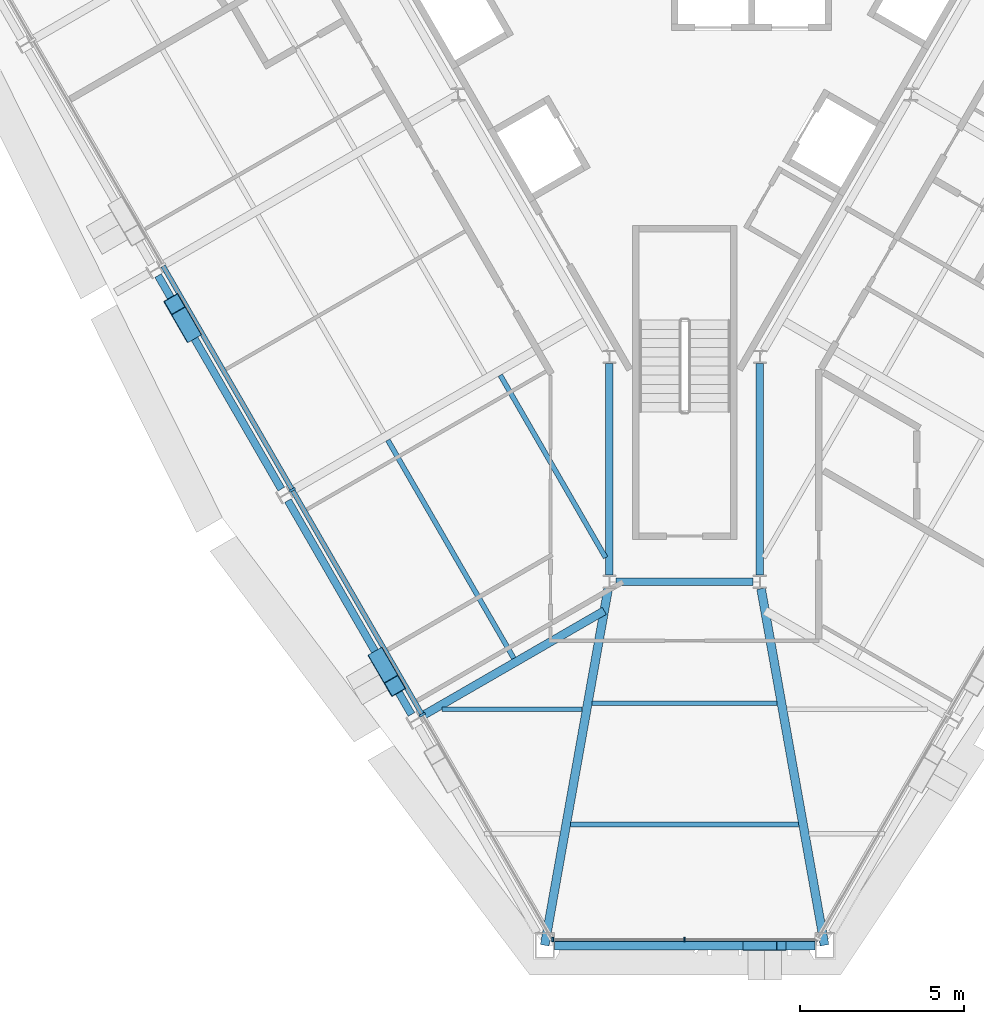
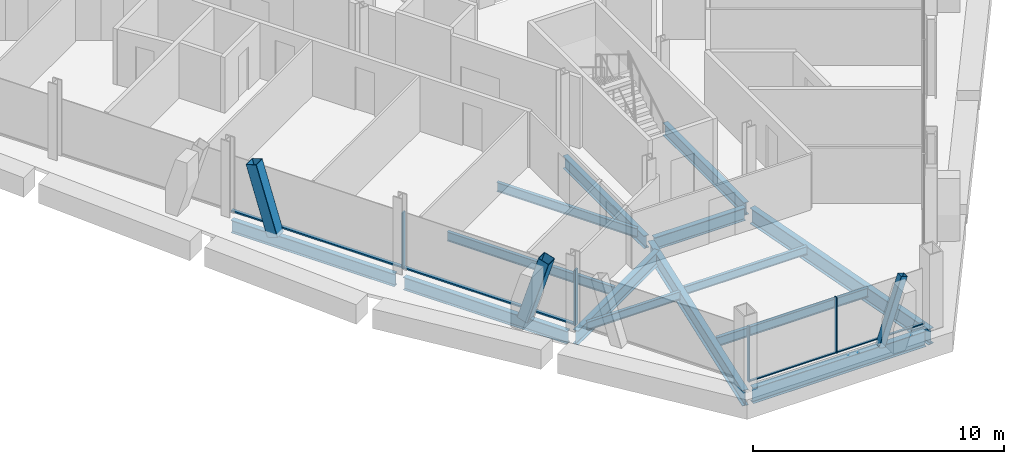
# One storey, part 3 of 14: 14 beams, 11 members, 2 elements without a shape of their own.
"""IFC4 building model written with IfcOpenShell, lengths in metres."""

from ifc_helpers import new_model, si_unit, direction, frame, origin, origin_2d, place, context, subcontext, project, spatial, rectangle, hollow_rectangle, i_section, extrude, material, material_profile, profile_set, type_object, element, aggregate, save


model = new_model("IFC4")

# Units and contexts
model_context = context("Model", 3, precision=1e-05, world=origin(), true_north=direction((0.0, 1.0)))
body_context = subcontext(model_context, "Body", "Model", "MODEL_VIEW")
ifc_project = project(units=[si_unit("LENGTHUNIT", "METRE"), si_unit("AREAUNIT", "SQUARE_METRE"), si_unit("VOLUMEUNIT", "CUBIC_METRE"), si_unit("PLANEANGLEUNIT", "RADIAN"), si_unit("MASSUNIT", "GRAM", prefix="KILO")], contexts=[model_context])

# Site, building, storey
site_placement = place(None, origin())
site = spatial("IfcSite", under=ifc_project, at=site_placement, CompositionType="ELEMENT")
building_placement = place(site_placement, origin())
building = spatial("IfcBuilding", under=site, at=building_placement, Name="Verrane Prism Tower", CompositionType="ELEMENT")
storey_placement = place(building_placement, frame((0.0, 0.0, 193.199951171875)))
storey = spatial("IfcBuildingStorey", under=building, at=storey_placement, Name="L48", CompositionType="ELEMENT", Elevation=193.199951171875)

# Member
ifc_material_1 = material(Name="Steel A500 Grade C", Category="steel")
ifc_material_profile_1 = material_profile(ifc_material_1, hollow_rectangle(XDim=0.3046875, YDim=0.3046875, WallThickness=0.0126953125, InnerFilletRadius=0.00634765625, OuterFilletRadius=0.01904296875, at=origin_2d()), Name="HSS12x12x1/2")
ifc_profile_set_1 = profile_set([ifc_material_profile_1], Name="Steel A500 Grade C")
member_type_1 = type_object("IfcMemberType", Name="Chamfer brace HSS12x12x1/2", PredefinedType="BRACE", material=ifc_profile_set_1)
member_1_placement = place(storey_placement, frame((1.93212890625, -30.02001953125, -0.242431640625), z_axis=(0.313765503434, 0.0, 0.949500504926), x_axis=(0.0, 1.0, 0.0)))
element("IfcMember", 1, at=member_1_placement, inside=storey, type_object=member_type_1, Name="Chamfer brace S0 L48", PredefinedType="BRACE", context=body_context, shape_type="SweptSolid", body=[
    extrude(hollow_rectangle(XDim=0.3046875, YDim=0.3046875, WallThickness=0.0126953125, InnerFilletRadius=0.00634765625, OuterFilletRadius=0.01904296875, at=origin_2d()), origin(), (0.0, 0.0, 1.0), 3.2734375),
])

# Beams
ifc_material_2 = material(Name="Steel A992", Category="steel")
ifc_material_profile_2 = material_profile(ifc_material_2, i_section(OverallWidth=0.2666015625, OverallDepth=0.7568359375, WebThickness=0.013916015625, FlangeThickness=0.019287109375, FilletRadius=0.0166015625, at=origin_2d()), Name="W30x108")
ifc_profile_set_2 = profile_set([ifc_material_profile_2], Name="Steel A992")
beam_type_1 = type_object("IfcBeamType", Name="Chamfer spandrel beam W30x108", PredefinedType="SPANDREL", material=ifc_profile_set_2)
beam_1_placement = place(storey_placement, frame((-3.97998046875, -30.02001953125, -0.538330078125), z_axis=(1.0, 0.0, 0.0), x_axis=(0.0, 1.0, 0.0)))
element("IfcBeam", 2, at=beam_1_placement, inside=storey, type_object=beam_type_1, Name="Chamfer spandrel beam L48", PredefinedType="SPANDREL", context=body_context, shape_type="SweptSolid", body=[
    extrude(i_section(OverallWidth=0.2666015625, OverallDepth=0.7568359375, WebThickness=0.013916015625, FlangeThickness=0.019287109375, FilletRadius=0.0166015625, at=origin_2d()), origin(), (0.0, 0.0, 1.0), 7.9599609375),
])
ifc_material_3 = material(Name="Steel A992", Category="steel")
ifc_material_profile_3 = material_profile(ifc_material_3, i_section(OverallWidth=0.23046875, OverallDepth=0.6171875, WebThickness=0.01318359375, FlangeThickness=0.022216796875, FilletRadius=0.012939453125, at=origin_2d()), Name="W24x94")
ifc_profile_set_3 = profile_set([ifc_material_profile_3], Name="Steel A992")
beam_type_2 = type_object("IfcBeamType", Name="Core ring girder W24x94", PredefinedType="BEAM", material=ifc_profile_set_3)
beam_2_placement = place(storey_placement, frame((-2.300048828125, -12.219482421875, -0.55859375), z_axis=(0.0, -1.0, 0.0), x_axis=(1.0, 0.0, 0.0)))
element("IfcBeam", 3, at=beam_2_placement, inside=storey, type_object=beam_type_2, Name="Core ring girder L48", PredefinedType="BEAM", context=body_context, shape_type="SweptSolid", body=[
    extrude(i_section(OverallWidth=0.23046875, OverallDepth=0.6171875, WebThickness=0.01318359375, FlangeThickness=0.022216796875, FilletRadius=0.012939453125, at=origin_2d()), origin(), (0.0, 0.0, 1.0), 6.47216796875),
])
beam_3_placement = place(storey_placement, frame((-2.0966796875, -18.89990234375, -0.55859375), z_axis=(1.0, 0.0, 0.0), x_axis=(0.0, 1.0, 0.0)))
element("IfcBeam", 4, at=beam_3_placement, inside=storey, type_object=beam_type_2, Name="Core ring girder L48", PredefinedType="BEAM", context=body_context, shape_type="SweptSolid", body=[
    extrude(i_section(OverallWidth=0.23046875, OverallDepth=0.6171875, WebThickness=0.01318359375, FlangeThickness=0.022216796875, FilletRadius=0.012939453125, at=origin_2d()), origin(), (0.0, 0.0, 1.0), 4.193359375),
])
beam_4_placement = place(storey_placement, frame((2.300048828125, -18.691650390625, -0.55859375), z_axis=(0.0, 1.0, 0.0), x_axis=(-1.0, 0.0, 0.0)))
element("IfcBeam", 5, at=beam_4_placement, inside=storey, type_object=beam_type_2, Name="Core ring girder L48", PredefinedType="BEAM", context=body_context, shape_type="SweptSolid", body=[
    extrude(i_section(OverallWidth=0.23046875, OverallDepth=0.6171875, WebThickness=0.01318359375, FlangeThickness=0.022216796875, FilletRadius=0.012939453125, at=origin_2d()), origin(), (0.0, 0.0, 1.0), 6.47216796875),
])
ifc_material_4 = material(Name="Steel A992", Category="steel")
ifc_material_profile_4 = material_profile(ifc_material_4, i_section(OverallWidth=0.2666015625, OverallDepth=0.76708984375, WebThickness=0.014892578125, FlangeThickness=0.023681640625, FilletRadius=0.0166015625, at=origin_2d()), Name="W30x124")
ifc_profile_set_4 = profile_set([ifc_material_profile_4], Name="Steel A992")
beam_type_3 = type_object("IfcBeamType", Name="Corner girder W30x124", PredefinedType="BEAM", material=ifc_profile_set_4)
beam_5_placement = place(storey_placement, frame((-4.2783203125, -30.010986328125, -0.603515625), z_axis=(0.175289303182, 0.984516967954, 0.0), x_axis=(-0.984516967954, 0.175289303182, 0.0)))
element("IfcBeam", 6, at=beam_5_placement, inside=storey, type_object=beam_type_3, Name="Corner girder L48", PredefinedType="BEAM", context=body_context, shape_type="SweptSolid", body=[
    extrude(i_section(OverallWidth=0.2666015625, OverallDepth=0.76708984375, WebThickness=0.014892578125, FlangeThickness=0.023681640625, FilletRadius=0.0166015625, at=origin_2d()), origin(), (0.0, 0.0, 1.0), 11.073974609375),
])
beam_6_placement = place(storey_placement, frame((4.2783203125, -30.010498046875, -0.603515625), z_axis=(-0.175296912765, 0.984515613068, 0.0), x_axis=(-0.984515613068, -0.175296912765, 0.0)))
element("IfcBeam", 7, at=beam_6_placement, inside=storey, type_object=beam_type_3, Name="Corner girder L48", PredefinedType="BEAM", context=body_context, shape_type="SweptSolid", body=[
    extrude(i_section(OverallWidth=0.2666015625, OverallDepth=0.76708984375, WebThickness=0.014892578125, FlangeThickness=0.023681640625, FilletRadius=0.0166015625, at=origin_2d()), origin(), (0.0, 0.0, 1.0), 11.073486328125),
])

# Members
ifc_material_5 = material(Name="Steel A500 Grade C", Category="steel")
ifc_material_profile_5 = material_profile(ifc_material_5, hollow_rectangle(XDim=0.508056640625, YDim=0.508056640625, WallThickness=0.01904296875, InnerFilletRadius=0.009521484375, OuterFilletRadius=0.028564453125, at=origin_2d()), Name="HSS20x20x3/4")
ifc_profile_set_5 = profile_set([ifc_material_profile_5], Name="Steel A500 Grade C")
member_type_2 = type_object("IfcMemberType", Name="Facade brace HSS20x20x3/4", PredefinedType="BRACE", material=ifc_profile_set_5)
member_2_placement = place(storey_placement, frame((-15.104248046875, -11.2587890625, -0.216552734375), z_axis=(-0.146573738441, 0.253929690364, 0.956052222188), x_axis=(-0.866073599808, -0.499916512745, 0.0)))
element("IfcMember", 8, at=member_2_placement, inside=storey, type_object=member_type_2, Name="Facade brace SW3 L48", PredefinedType="BRACE", context=body_context, shape_type="SweptSolid", body=[
    extrude(hollow_rectangle(XDim=0.508056640625, YDim=0.508056640625, WallThickness=0.01904296875, InnerFilletRadius=0.009521484375, OuterFilletRadius=0.028564453125, at=origin_2d()), origin(), (0.0, 0.0, 1.0), 3.343017578125),
])
member_3_placement = place(storey_placement, frame((-9.348388671875, -21.228515625, -0.216552734375), z_axis=(0.146845944999, -0.254260358273, 0.955922558918), x_axis=(0.865953635734, 0.500124285313, 0.0)))
element("IfcMember", 9, at=member_3_placement, inside=storey, type_object=member_type_2, Name="Facade brace SW4 L48", PredefinedType="BRACE", context=body_context, shape_type="SweptSolid", body=[
    extrude(hollow_rectangle(XDim=0.508056640625, YDim=0.508056640625, WallThickness=0.01904296875, InnerFilletRadius=0.009521484375, OuterFilletRadius=0.028564453125, at=origin_2d()), origin(), (0.0, 0.0, 1.0), 3.343505859375),
])

# Beams
ifc_material_6 = material(Name="Steel A992", Category="steel")
ifc_material_profile_6 = material_profile(ifc_material_6, i_section(OverallWidth=0.140380859375, OverallDepth=0.40380859375, WebThickness=0.007080078125, FlangeThickness=0.01123046875, FilletRadius=0.01025390625, at=origin_2d()), Name="W16x31")
ifc_profile_set_6 = profile_set([ifc_material_profile_6], Name="Steel A992")
beam_type_4 = type_object("IfcBeamType", Name="Floor beam W16x31", PredefinedType="BEAM", material=ifc_profile_set_6)
beam_7_placement = place(storey_placement, frame((-7.418212890625, -22.796630859375, -0.36181640625), z_axis=(1.0, 0.0, 0.0), x_axis=(0.0, 1.0, 0.0)))
element("IfcBeam", 10, at=beam_7_placement, inside=storey, type_object=beam_type_4, Name="Floor beam L48", PredefinedType="BEAM", context=body_context, shape_type="SweptSolid", body=[
    extrude(i_section(OverallWidth=0.140380859375, OverallDepth=0.40380859375, WebThickness=0.007080078125, FlangeThickness=0.01123046875, FilletRadius=0.01025390625, at=origin_2d()), origin(), (0.0, 0.0, 1.0), 4.287109375),
])
beam_8_placement = place(storey_placement, frame((-2.825927734375, -22.606689453125, -0.36181640625), z_axis=(1.0, 0.0, 0.0), x_axis=(0.0, 1.0, 0.0)))
element("IfcBeam", 11, at=beam_8_placement, inside=storey, type_object=beam_type_4, Name="Floor beam L48", PredefinedType="BEAM", context=body_context, shape_type="SweptSolid", body=[
    extrude(i_section(OverallWidth=0.140380859375, OverallDepth=0.40380859375, WebThickness=0.007080078125, FlangeThickness=0.01123046875, FilletRadius=0.01025390625, at=origin_2d()), origin(), (0.0, 0.0, 1.0), 5.65185546875),
])
ifc_material_7 = material(Name="Steel A992", Category="steel")
ifc_material_profile_7 = material_profile(ifc_material_7, i_section(OverallWidth=0.15234375, OverallDepth=0.449462890625, WebThickness=0.007568359375, FlangeThickness=0.0107421875, FilletRadius=0.01025390625, at=origin_2d()), Name="W18x35")
ifc_profile_set_7 = profile_set([ifc_material_profile_7], Name="Steel A992")
beam_type_5 = type_object("IfcBeamType", Name="Floor beam W18x35", PredefinedType="BEAM", material=ifc_profile_set_7)
beam_9_placement = place(storey_placement, frame((-2.4150390625, -18.16064453125, -0.384765625), z_axis=(-0.499994722028, 0.866028451001, 0.0), x_axis=(-0.866028451001, -0.499994722028, 0.0)))
element("IfcBeam", 12, at=beam_9_placement, inside=storey, type_object=beam_type_5, Name="Floor beam L48", PredefinedType="BEAM", context=body_context, shape_type="SweptSolid", body=[
    extrude(i_section(OverallWidth=0.15234375, OverallDepth=0.449462890625, WebThickness=0.007568359375, FlangeThickness=0.0107421875, FilletRadius=0.01025390625, at=origin_2d()), origin(), (0.0, 0.0, 1.0), 6.4423828125),
])
beam_10_placement = place(storey_placement, frame((-5.222900390625, -21.237060546875, -0.384765625), z_axis=(-0.500007761655, 0.866020922544, 0.0), x_axis=(-0.866020922544, -0.500007761655, 0.0)))
element("IfcBeam", 13, at=beam_10_placement, inside=storey, type_object=beam_type_5, Name="Floor beam L48", PredefinedType="BEAM", context=body_context, shape_type="SweptSolid", body=[
    extrude(i_section(OverallWidth=0.15234375, OverallDepth=0.449462890625, WebThickness=0.007568359375, FlangeThickness=0.0107421875, FilletRadius=0.01025390625, at=origin_2d()), origin(), (0.0, 0.0, 1.0), 7.70361328125),
])
beam_11_placement = place(storey_placement, frame((-3.486083984375, -26.313232421875, -0.384765625), z_axis=(1.0, 0.0, 0.0), x_axis=(0.0, 1.0, 0.0)))
element("IfcBeam", 14, at=beam_11_placement, inside=storey, type_object=beam_type_5, Name="Floor beam L48", PredefinedType="BEAM", context=body_context, shape_type="SweptSolid", body=[
    extrude(i_section(OverallWidth=0.15234375, OverallDepth=0.449462890625, WebThickness=0.007568359375, FlangeThickness=0.0107421875, FilletRadius=0.01025390625, at=origin_2d()), origin(), (0.0, 0.0, 1.0), 6.97216796875),
])

# Curtain wall, members
ifc_material_8 = material(Name="Aluminium framed insulated glazing", Category="aluminium")
curtain_wall_type_1 = type_object("IfcCurtainWallType", Name="Curtain wall CW-C 4200 module", PredefinedType="NOTDEFINED", material=ifc_material_8)
curtain_wall_1_placement = place(storey_placement, origin())
curtain_wall_1 = element("IfcCurtainWall", 15, at=curtain_wall_1_placement, inside=storey, type_object=curtain_wall_type_1, Name="Glazed curtain wall south corner L48", PredefinedType="NOTDEFINED")
ifc_material_9 = material(Name="Aluminium alloy 6063-T6", Category="aluminium")
ifc_material_profile_8 = material_profile(ifc_material_9, rectangle(XDim=0.139892578125, YDim=0.050048828125, at=origin_2d()), Name="Mullion 50x140 aluminium")
ifc_profile_set_8 = profile_set([ifc_material_profile_8], Name="Aluminium alloy 6063-T6")
member_type_3 = type_object("IfcMemberType", Name="Mullion 50x140 aluminium", PredefinedType="MULLION", material=ifc_profile_set_8)
member_4_placement = place(storey_placement, frame((-4.0302734375, -29.838134765625, 0.0), z_axis=(0.0, 0.0, 1.0), x_axis=(0.0, 1.0, 0.0)))
member_4 = element("IfcMember", 16, at=member_4_placement, type_object=member_type_3, Name="CW47.5 mullion 1", PredefinedType="MULLION", context=body_context, shape_type="SweptSolid", body=[
    extrude(rectangle(XDim=0.139892578125, YDim=0.050048828125, at=origin_2d()), origin(), (0.0, 0.0, 1.0), 2.712890625),
])
member_5_placement = place(storey_placement, frame((0.0, -29.838134765625, 0.0), z_axis=(0.0, 0.0, 1.0), x_axis=(0.0, 1.0, 0.0)))
member_5 = element("IfcMember", 17, at=member_5_placement, type_object=member_type_3, Name="CW47.5 mullion 2", PredefinedType="MULLION", context=body_context, shape_type="SweptSolid", body=[
    extrude(rectangle(XDim=0.139892578125, YDim=0.050048828125, at=origin_2d()), origin(), (0.0, 0.0, 1.0), 2.712890625),
])

ifc_material_10 = material(Name="Aluminium framed insulated glazing", Category="aluminium")
curtain_wall_type_2 = type_object("IfcCurtainWallType", Name="Curtain wall CW-A 8400 module", PredefinedType="NOTDEFINED", material=ifc_material_10)
curtain_wall_2_placement = place(storey_placement, origin())
curtain_wall_2 = element("IfcCurtainWall", 18, at=curtain_wall_2_placement, inside=storey, type_object=curtain_wall_type_2, Name="Glazed curtain wall south-west face L48", PredefinedType="NOTDEFINED")
ifc_material_11 = material(Name="Aluminium alloy 6063-T6", Category="aluminium")
ifc_material_profile_9 = material_profile(ifc_material_11, rectangle(XDim=0.199951171875, YDim=0.070068359375, at=origin_2d()), Name="Mullion 70x200 aluminium")
ifc_profile_set_9 = profile_set([ifc_material_profile_9], Name="Aluminium alloy 6063-T6")
member_type_4 = type_object("IfcMemberType", Name="Mullion 70x200 aluminium", PredefinedType="MULLION", material=ifc_profile_set_9)
member_6_placement = place(storey_placement, frame((-11.992919921875, -16.089599609375, 0.0), z_axis=(0.0, 0.0, 1.0), x_axis=(0.866025652206, 0.499999569721, 0.0)))
member_6 = element("IfcMember", 19, at=member_6_placement, type_object=member_type_4, Name="CW47.4 mullion 5", PredefinedType="MULLION", context=body_context, shape_type="SweptSolid", body=[
    extrude(rectangle(XDim=0.199951171875, YDim=0.070068359375, at=origin_2d()), origin(), (0.0, 0.0, 1.0), 2.712890625),
])
member_7_placement = place(storey_placement, frame((-8.024169921875, -22.9638671875, 0.0), z_axis=(0.0, 0.0, 1.0), x_axis=(0.866025652206, 0.499999569721, 0.0)))
member_7 = element("IfcMember", 20, at=member_7_placement, type_object=member_type_4, Name="CW47.4 mullion 6", PredefinedType="MULLION", context=body_context, shape_type="SweptSolid", body=[
    extrude(rectangle(XDim=0.199951171875, YDim=0.070068359375, at=origin_2d()), origin(), (0.0, 0.0, 1.0), 2.712890625),
])

# Beams
ifc_material_12 = material(Name="Steel A992", Category="steel")
ifc_material_profile_10 = material_profile(ifc_material_12, i_section(OverallWidth=0.25390625, OverallDepth=0.683349609375, WebThickness=0.012451171875, FlangeThickness=0.01904296875, FilletRadius=0.01513671875, at=origin_2d()), Name="W27x94")
ifc_profile_set_10 = profile_set([ifc_material_profile_10], Name="Steel A992")
beam_type_6 = type_object("IfcBeamType", Name="Radial girder W27x94", PredefinedType="BEAM", material=ifc_profile_set_10)
beam_12_placement = place(storey_placement, frame((-8.069580078125, -23.02587890625, -0.5615234375), z_axis=(0.866024967991, 0.500000754816, 0.0), x_axis=(-0.500000754816, 0.866024967991, 0.0)))
element("IfcBeam", 21, at=beam_12_placement, inside=storey, type_object=beam_type_6, Name="Radial girder L48", PredefinedType="BEAM", context=body_context, shape_type="SweptSolid", body=[
    extrude(i_section(OverallWidth=0.25390625, OverallDepth=0.683349609375, WebThickness=0.012451171875, FlangeThickness=0.01904296875, FilletRadius=0.01513671875, at=origin_2d()), origin(), (0.0, 0.0, 1.0), 6.47998046875),
])
ifc_material_13 = material(Name="Steel A992", Category="steel")
ifc_material_profile_11 = material_profile(ifc_material_13, i_section(OverallWidth=0.23046875, OverallDepth=0.6171875, WebThickness=0.01318359375, FlangeThickness=0.022216796875, FilletRadius=0.012939453125, at=origin_2d()), Name="W24x94")
ifc_profile_set_11 = profile_set([ifc_material_profile_11], Name="Steel A992")
beam_type_7 = type_object("IfcBeamType", Name="Spandrel beam W24x94", PredefinedType="SPANDREL", material=ifc_profile_set_11)
beam_13_placement = place(storey_placement, frame((-16.098388671875, -9.535888671875, -0.468505859375), z_axis=(0.499786949886, -0.866148373388, 0.0), x_axis=(0.866148373388, 0.499786949886, 0.0)))
element("IfcBeam", 22, at=beam_13_placement, inside=storey, type_object=beam_type_7, Name="Spandrel beam L48", PredefinedType="SPANDREL", context=body_context, shape_type="SweptSolid", body=[
    extrude(i_section(OverallWidth=0.23046875, OverallDepth=0.6171875, WebThickness=0.01318359375, FlangeThickness=0.022216796875, FilletRadius=0.012939453125, at=origin_2d()), origin(), (0.0, 0.0, 1.0), 7.536865234375),
])
beam_14_placement = place(storey_placement, frame((-12.12841796875, -16.416015625, -0.468505859375), z_axis=(0.500207565094, -0.865905532852, 0.0), x_axis=(0.865905532852, 0.500207565094, 0.0)))
element("IfcBeam", 23, at=beam_14_placement, inside=storey, type_object=beam_type_7, Name="Spandrel beam L48", PredefinedType="SPANDREL", context=body_context, shape_type="SweptSolid", body=[
    extrude(i_section(OverallWidth=0.23046875, OverallDepth=0.6171875, WebThickness=0.01318359375, FlangeThickness=0.022216796875, FilletRadius=0.012939453125, at=origin_2d()), origin(), (0.0, 0.0, 1.0), 7.550537109375),
])

# Member
ifc_material_14 = material(Name="Aluminium alloy 6063-T6", Category="aluminium")
ifc_material_profile_12 = material_profile(ifc_material_14, rectangle(XDim=0.10009765625, YDim=0.050048828125, at=origin_2d()), Name="Transom 50x100 aluminium")
ifc_profile_set_12 = profile_set([ifc_material_profile_12], Name="Aluminium alloy 6063-T6")
member_type_5 = type_object("IfcMemberType", Name="Transom 50x100 aluminium", PredefinedType="USERDEFINED", material=ifc_profile_set_12)
member_8_placement = place(storey_placement, frame((-4.00537109375, -29.838134765625, 0.025146484375), z_axis=(1.0, 0.0, 0.0), x_axis=(0.0, 1.0, 0.0)))
member_8 = element("IfcMember", 24, at=member_8_placement, type_object=member_type_5, Name="CW47.5 transom 1", ObjectType="TRANSOM", PredefinedType="USERDEFINED", context=body_context, shape_type="SweptSolid", body=[
    extrude(rectangle(XDim=0.10009765625, YDim=0.050048828125, at=origin_2d()), origin(), (0.0, 0.0, 1.0), 3.98046875),
])

member_9_placement = place(storey_placement, frame((0.02490234375, -29.838134765625, 0.025146484375), z_axis=(1.0, 0.0, 0.0), x_axis=(0.0, 1.0, 0.0)))
member_9 = element("IfcMember", 25, at=member_9_placement, type_object=member_type_5, Name="CW47.5 transom 2", ObjectType="TRANSOM", PredefinedType="USERDEFINED", context=body_context, shape_type="SweptSolid", body=[
    extrude(rectangle(XDim=0.10009765625, YDim=0.050048828125, at=origin_2d()), origin(), (0.0, 0.0, 1.0), 4.030517578125),
])

aggregate(curtain_wall_1, [member_4, member_5, member_8, member_9])

ifc_material_15 = material(Name="Aluminium alloy 6063-T6", Category="aluminium")
ifc_material_profile_13 = material_profile(ifc_material_15, rectangle(XDim=0.14990234375, YDim=0.070068359375, at=origin_2d()), Name="Transom 70x150 aluminium")
ifc_profile_set_13 = profile_set([ifc_material_profile_13], Name="Aluminium alloy 6063-T6")
member_type_6 = type_object("IfcMemberType", Name="Transom 70x150 aluminium", PredefinedType="USERDEFINED", material=ifc_profile_set_13)
member_10_placement = place(storey_placement, frame((-15.9443359375, -9.245849609375, 0.03515625), z_axis=(0.50000718421, -0.866021255939, 0.0), x_axis=(0.866021255939, 0.50000718421, 0.0)))
member_10 = element("IfcMember", 26, at=member_10_placement, type_object=member_type_6, Name="CW47.4 transom 4", ObjectType="TRANSOM", PredefinedType="USERDEFINED", context=body_context, shape_type="SweptSolid", body=[
    extrude(rectangle(XDim=0.14990234375, YDim=0.070068359375, at=origin_2d()), origin(), (0.0, 0.0, 1.0), 7.86767578125),
])

member_11_placement = place(storey_placement, frame((-11.975341796875, -16.1201171875, 0.03515625), z_axis=(0.50000718421, -0.866021255939, 0.0), x_axis=(0.866021255939, 0.50000718421, 0.0)))
member_11 = element("IfcMember", 27, at=member_11_placement, type_object=member_type_6, Name="CW47.4 transom 5", ObjectType="TRANSOM", PredefinedType="USERDEFINED", context=body_context, shape_type="SweptSolid", body=[
    extrude(rectangle(XDim=0.14990234375, YDim=0.070068359375, at=origin_2d()), origin(), (0.0, 0.0, 1.0), 7.86767578125),
])

aggregate(curtain_wall_2, [member_6, member_7, member_10, member_11])

save(model, "model.ifc")
